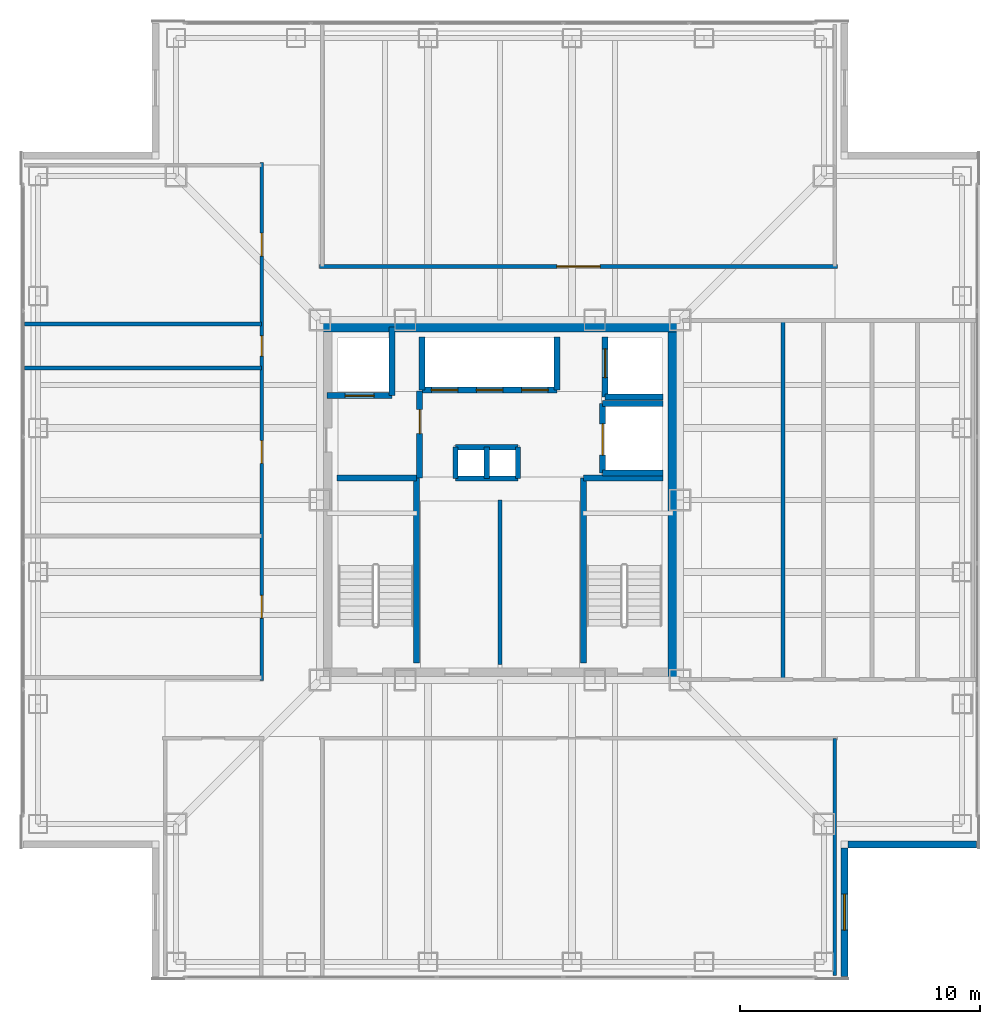
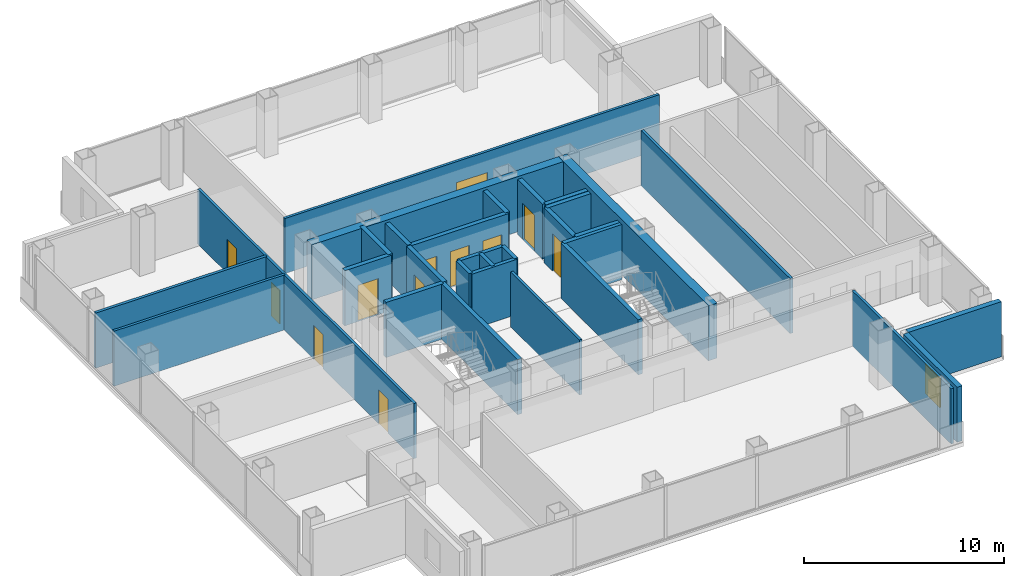
# One storey, part 10 of 17: 31 walls, 12 doors, 1 window, 13 openings.
"""IFC4 building model written with IfcOpenShell, lengths in metres."""

from ifc_helpers import new_model, si_unit, direction, frame, frame_2d, origin, place, context, subcontext, project, spatial, rectangle, extrude, material, layer, layer_set, type_object, element, fill, save


model = new_model("IFC4")

# Units and contexts
model_context = context("Model", 3, precision=1e-05, world=origin(), true_north=direction((0.0, 1.0)))
body_context = subcontext(model_context, "Body", "Model", "MODEL_VIEW")
ifc_project = project(units=[si_unit("LENGTHUNIT", "METRE"), si_unit("AREAUNIT", "SQUARE_METRE"), si_unit("VOLUMEUNIT", "CUBIC_METRE"), si_unit("PLANEANGLEUNIT", "RADIAN"), si_unit("MASSUNIT", "GRAM", prefix="KILO")], contexts=[model_context])

# Site, building, storey
site_placement = place(None, origin())
site = spatial("IfcSite", under=ifc_project, at=site_placement, CompositionType="ELEMENT")
building_placement = place(site_placement, origin())
building = spatial("IfcBuilding", under=site, at=building_placement, Name="Trevonay Congress Spire", CompositionType="ELEMENT")
storey_placement = place(building_placement, frame((0.0, 0.0, 209.39990234375)))
storey = spatial("IfcBuildingStorey", under=building, at=storey_placement, Name="L54", CompositionType="ELEMENT", Elevation=209.39990234375)

# Walls
ifc_material_1 = material(Name="Concrete C50/60", Category="concrete")
ifc_layer_1 = layer(ifc_material_1, 0.5, Name="Concrete C50/60")
ifc_layer_set_1 = layer_set([ifc_layer_1], Name="Concrete C50/60")
wall_type_1 = type_object("IfcWallType", Name="WAL-CORE-500", PredefinedType="SHEAR", material=ifc_layer_set_1)
for number, where, z_axis, x_axis, name in (
    (1, (-7.5, 7.25, 0.0), (0.0, 0.0, 1.0), (1.0, 0.0, 0.0), "L54 North structural core shear wall"),
    (2, (7.25, -7.5, 0.0), (0.0, 0.0, 1.0), (0.0, 1.0, 0.0), "L54 East structural core shear wall"),
):
    element("IfcWall", number, at=place(storey_placement, frame(where, z_axis=z_axis, x_axis=x_axis)), inside=storey, type_object=wall_type_1, Name=name, PredefinedType="SHEAR", context=body_context, shape_type="SweptSolid", body=[
        extrude(rectangle(XDim=15.0, YDim=0.5, at=frame_2d((7.5, 0.0))), origin(), (0.0, 0.0, 1.0), 3.360107421875),
    ])

# Wall, openings, doors
ifc_material_2 = material(Name="Concrete C40/50", Category="concrete")
ifc_layer_2 = layer(ifc_material_2, 0.14990234375, Name="Concrete C40/50")
ifc_layer_set_2 = layer_set([ifc_layer_2], Name="Concrete C40/50")
wall_type_2 = type_object("IfcWallType", Name="WAL-CORR-150", PredefinedType="PARTITIONING", material=ifc_layer_set_2)
wall_1_placement = place(storey_placement, frame((-9.929931640625, -7.52001953125, 0.0), z_axis=(0.0, 0.0, 1.0), x_axis=(0.0, 1.0, 0.0)))
wall_1 = element("IfcWall", 3, at=wall_1_placement, inside=storey, type_object=wall_type_2, Name="L54 interior wall WP-L54NW-COR", PredefinedType="PARTITIONING", context=body_context, shape_type="SweptSolid", body=[
    extrude(rectangle(XDim=21.590087890625, YDim=0.14990234375, at=frame_2d((10.794921875, 0.0))), origin(), (0.0, 0.0, 1.0), 3.360107421875),
])
opening_1_placement = place(wall_1_placement, frame((2.594970703125, 0.0, 0.0)))
opening_1 = element("IfcOpeningElement", 4, at=opening_1_placement, cuts=wall_1, Name="Opening D07", PredefinedType="OPENING", context=body_context, shape_type="SweptSolid", body=[
    extrude(rectangle(XDim=0.949951171875, YDim=2.06005859375, at=frame_2d((0.47509765625, 1.030029296875))), frame((0.0, 0.0849609375, 0.0), z_axis=(0.0, -1.0, 0.0), x_axis=(1.0, 0.0, 0.0)), (0.0, 0.0, 1.0), 0.169921875),
])
opening_2_placement = place(wall_1_placement, frame((9.044921875, 0.0, 0.0)))
opening_2 = element("IfcOpeningElement", 5, at=opening_2_placement, cuts=wall_1, Name="Opening D07", PredefinedType="OPENING", context=body_context, shape_type="SweptSolid", body=[
    extrude(rectangle(XDim=0.949951171875, YDim=2.06005859375, at=frame_2d((0.47509765625, 1.030029296875))), frame((0.0, 0.0849609375, 0.0), z_axis=(0.0, -1.0, 0.0), x_axis=(1.0, 0.0, 0.0)), (0.0, 0.0, 1.0), 0.169921875),
])
opening_3_placement = place(wall_1_placement, frame((13.510009765625, 0.0, 0.0)))
opening_3 = element("IfcOpeningElement", 6, at=opening_3_placement, cuts=wall_1, Name="Opening D10", PredefinedType="OPENING", context=body_context, shape_type="SweptSolid", body=[
    extrude(rectangle(XDim=0.85009765625, YDim=2.050048828125, at=frame_2d((0.425048828125, 1.02490234375))), frame((0.0, 0.0849609375, 0.0), z_axis=(0.0, -1.0, 0.0), x_axis=(1.0, 0.0, 0.0)), (0.0, 0.0, 1.0), 0.169921875),
])
opening_4_placement = place(wall_1_placement, frame((17.68505859375, 0.0, 0.0)))
opening_4 = element("IfcOpeningElement", 7, at=opening_4_placement, cuts=wall_1, Name="Opening D07", PredefinedType="OPENING", context=body_context, shape_type="SweptSolid", body=[
    extrude(rectangle(XDim=0.949951171875, YDim=2.06005859375, at=frame_2d((0.47509765625, 1.030029296875))), frame((0.0, 0.0849609375, 0.0), z_axis=(0.0, -1.0, 0.0), x_axis=(1.0, 0.0, 0.0)), (0.0, 0.0, 1.0), 0.169921875),
])
ifc_material_3 = material(Name="Pale Anodised Aluminium EN AW-6063-T6", Category="aluminium")
door_type_1 = type_object("IfcDoorType", Name="DOR-OFFICE-95", OperationType="NOTDEFINED", PredefinedType="DOOR", material=ifc_material_3)
door_1_placement = place(opening_1_placement, origin())
door_1 = element("IfcDoor", 8, at=door_1_placement, inside=storey, type_object=door_type_1, Name="L54 Hydrotherapy Lounge Door", OperationType="SINGLE_SWING_LEFT", OverallHeight=2.06005859375, OverallWidth=0.949951171875, PredefinedType="DOOR", context=body_context, shape_type="SweptSolid", body=[
    extrude(rectangle(XDim=0.949951171875, YDim=2.06005859375, at=frame_2d((0.47509765625, 1.030029296875))), frame((0.0, 0.02490234375, 0.0), z_axis=(0.0, -1.0, 0.0), x_axis=(1.0, 0.0, 0.0)), (0.0, 0.0, 1.0), 0.050048828125),
])
fill(opening_1, door_1)
door_2_placement = place(opening_2_placement, origin())
door_2 = element("IfcDoor", 9, at=door_2_placement, inside=storey, type_object=door_type_1, Name="L54 Spa Treatment Lounge Door", OperationType="SINGLE_SWING_RIGHT", OverallHeight=2.06005859375, OverallWidth=0.949951171875, PredefinedType="DOOR", context=body_context, shape_type="SweptSolid", body=[
    extrude(rectangle(XDim=0.949951171875, YDim=2.06005859375, at=frame_2d((0.47509765625, 1.030029296875))), frame((0.0, 0.02490234375, 0.0), z_axis=(0.0, -1.0, 0.0), x_axis=(1.0, 0.0, 0.0)), (0.0, 0.0, 1.0), 0.050048828125),
])
fill(opening_2, door_2)
door_3_placement = place(opening_4_placement, origin())
door_3 = element("IfcDoor", 10, at=door_3_placement, inside=storey, type_object=door_type_1, Name="L54 Floor Supplies and Copy Room Door", OperationType="SINGLE_SWING_RIGHT", OverallHeight=2.06005859375, OverallWidth=0.949951171875, PredefinedType="DOOR", context=body_context, shape_type="SweptSolid", body=[
    extrude(rectangle(XDim=0.949951171875, YDim=2.06005859375, at=frame_2d((0.47509765625, 1.030029296875))), frame((0.0, 0.02490234375, 0.0), z_axis=(0.0, -1.0, 0.0), x_axis=(1.0, 0.0, 0.0)), (0.0, 0.0, 1.0), 0.050048828125),
])
fill(opening_4, door_3)
door_type_2 = type_object("IfcDoorType", Name="DOR-WC-85", OperationType="NOTDEFINED", PredefinedType="DOOR", material=ifc_material_3)
door_4_placement = place(opening_3_placement, origin())
door_4 = element("IfcDoor", 11, at=door_4_placement, inside=storey, type_object=door_type_2, Name="L54 Accessible WC Door", OperationType="SINGLE_SWING_LEFT", OverallHeight=2.050048828125, OverallWidth=0.85009765625, PredefinedType="DOOR", context=body_context, shape_type="SweptSolid", body=[
    extrude(rectangle(XDim=0.85009765625, YDim=2.050048828125, at=frame_2d((0.425048828125, 1.02490234375))), frame((0.0, 0.02490234375, 0.0), z_axis=(0.0, -1.0, 0.0), x_axis=(1.0, 0.0, 0.0)), (0.0, 0.0, 1.0), 0.050048828125),
])
fill(opening_3, door_4)

# Wall, opening, door
wall_2_placement = place(storey_placement, frame((-7.52001953125, 9.72998046875, 0.0), z_axis=(0.0, 0.0, 1.0), x_axis=(1.0, 0.0, 0.0)))
wall_2 = element("IfcWall", 12, at=wall_2_placement, inside=storey, type_object=wall_type_2, Name="L54 interior wall WP-L54N-COR", PredefinedType="PARTITIONING", context=body_context, shape_type="SweptSolid", body=[
    extrude(rectangle(XDim=21.590087890625, YDim=0.14990234375, at=frame_2d((10.794921875, 0.0))), origin(), (0.0, 0.0, 1.0), 3.360107421875),
])
opening_5_placement = place(wall_2_placement, frame((9.89501953125, 0.0, 0.0)))
opening_5 = element("IfcOpeningElement", 13, at=opening_5_placement, cuts=wall_2, Name="Opening D09", PredefinedType="OPENING", context=body_context, shape_type="SweptSolid", body=[
    extrude(rectangle(XDim=1.800048828125, YDim=2.080078125, at=frame_2d((0.89990234375, 1.0400390625))), frame((0.0, 0.0849609375, 0.0), z_axis=(0.0, -1.0, 0.0), x_axis=(1.0, 0.0, 0.0)), (0.0, 0.0, 1.0), 0.169921875),
])
door_type_3 = type_object("IfcDoorType", Name="DOR-CONF-DBL", OperationType="DOUBLE_DOOR_SINGLE_SWING", PredefinedType="DOOR", material=ifc_material_3)
door_5_placement = place(opening_5_placement, origin())
door_5 = element("IfcDoor", 14, at=door_5_placement, inside=storey, type_object=door_type_3, Name="L54 Sky Pilates and Fitness Studio Lounge Door", OperationType="DOUBLE_DOOR_SINGLE_SWING", OverallHeight=2.080078125, OverallWidth=1.800048828125, PredefinedType="DOOR", context=body_context, shape_type="SweptSolid", body=[
    extrude(rectangle(XDim=1.800048828125, YDim=2.080078125, at=frame_2d((0.89990234375, 1.0400390625))), frame((0.0, 0.02490234375, 0.0), z_axis=(0.0, -1.0, 0.0), x_axis=(1.0, 0.0, 0.0)), (0.0, 0.0, 1.0), 0.050048828125),
])
fill(opening_5, door_5)

# Wall, opening, window
ifc_material_4 = material(Name="Precast concrete C40/50", Category="concrete")
ifc_layer_3 = layer(ifc_material_4, 0.300048828125, Name="Precast concrete C40/50")
ifc_layer_set_3 = layer_set([ifc_layer_3], Name="Precast concrete C40/50")
wall_type_3 = type_object("IfcWallType", Name="WAL-EXT-PRECAST-300", PredefinedType="SOLIDWALL", material=ifc_layer_set_3)
wall_3_placement = place(storey_placement, frame((14.35009765625, -19.85009765625, 0.0), z_axis=(0.0, 0.0, 1.0), x_axis=(0.0, 1.0, 0.0)))
wall_3 = element("IfcWall", 15, at=wall_3_placement, inside=storey, type_object=wall_type_3, Name="L54 SE re-entrant notch exterior wall 1", PredefinedType="SOLIDWALL", context=body_context, shape_type="SweptSolid", body=[
    extrude(rectangle(XDim=5.35009765625, YDim=0.300048828125, at=frame_2d((2.675048828125, 0.0))), origin(), (0.0, 0.0, 1.0), 3.360107421875),
])
opening_6_placement = place(wall_3_placement, frame((1.925048828125, 0.0, 0.89990234375)))
opening_6 = element("IfcOpeningElement", 16, at=opening_6_placement, cuts=wall_3, Name="Opening WN03", PredefinedType="OPENING", context=body_context, shape_type="SweptSolid", body=[
    extrude(rectangle(XDim=1.5, YDim=1.800048828125, at=frame_2d((0.75, 0.89990234375))), frame((0.0, 0.16015625, 0.0), z_axis=(0.0, -1.0, 0.0), x_axis=(1.0, 0.0, 0.0)), (0.0, 0.0, 1.0), 0.320068359375),
])
ifc_material_5 = material(Name="Insulated Low-E Vision Glass IGU", Category="glass")
window_type = type_object("IfcWindowType", Name="WIN-NOTCH-150X180", PartitioningType="SINGLE_PANEL", PredefinedType="WINDOW", material=ifc_material_5)
window_placement = place(opening_6_placement, origin())
window = element("IfcWindow", 17, at=window_placement, inside=storey, type_object=window_type, Name="L54 SE corner notch window", OverallHeight=1.800048828125, OverallWidth=1.5, PartitioningType="SINGLE_PANEL", PredefinedType="WINDOW", context=body_context, shape_type="SweptSolid", body=[
    extrude(rectangle(XDim=1.5, YDim=1.800048828125, at=frame_2d((0.75, 0.89990234375))), frame((0.0, 0.030029296875, 0.0), z_axis=(0.0, -1.0, 0.0), x_axis=(1.0, 0.0, 0.0)), (0.0, 0.0, 1.0), 0.06005859375),
])
fill(opening_6, window)

# Walls
wall_4_placement = place(storey_placement, frame((19.85009765625, -14.35009765625, 0.0), z_axis=(0.0, 0.0, 1.0), x_axis=(-1.0, 0.0, 0.0)))
element("IfcWall", 18, at=wall_4_placement, inside=storey, type_object=wall_type_3, Name="L54 SE re-entrant notch exterior wall 2", PredefinedType="SOLIDWALL", context=body_context, shape_type="SweptSolid", body=[
    extrude(rectangle(XDim=5.35009765625, YDim=0.300048828125, at=frame_2d((2.675048828125, 0.0))), origin(), (0.0, 0.0, 1.0), 3.360107421875),
])
ifc_layer_4 = layer(ifc_material_2, 0.14990234375, Name="Concrete C40/50")
ifc_layer_set_4 = layer_set([ifc_layer_4], Name="Concrete C40/50")
wall_type_4 = type_object("IfcWallType", Name="WAL-PART-150", PredefinedType="PARTITIONING", material=ifc_layer_set_4)
wall_5_placement = place(storey_placement, frame((0.0, -6.85009765625, 0.0), z_axis=(0.0, 0.0, 1.0), x_axis=(0.0, 1.0, 0.0)))
element("IfcWall", 19, at=wall_5_placement, inside=storey, type_object=wall_type_4, Name="L54 interior wall CW-F0-L54", PredefinedType="PARTITIONING", context=body_context, shape_type="SweptSolid", body=[
    extrude(rectangle(XDim=6.85009765625, YDim=0.14990234375, at=frame_2d((3.425048828125, 0.0))), origin(), (0.0, 0.0, 1.0), 3.360107421875),
])
for number, where, z_axis, x_axis, name in (
    (20, (13.949951171875, -19.820068359375, 0.0), (0.0, 0.0, 1.0), (0.0, 1.0, 0.0), "L54 interior wall WP-L54SE-DIV2"),
    (21, (-19.820068359375, 5.5, 0.0), (0.0, 0.0, 1.0), (1.0, 0.0, 0.0), "L54 interior wall WP-L54NW-DIV3"),
):
    element("IfcWall", number, at=place(storey_placement, frame(where, z_axis=z_axis, x_axis=x_axis)), inside=storey, type_object=wall_type_4, Name=name, PredefinedType="PARTITIONING", context=body_context, shape_type="SweptSolid", body=[
        extrude(rectangle(XDim=9.89013671875, YDim=0.14990234375, at=frame_2d((4.945068359375, 0.0))), origin(), (0.0, 0.0, 1.0), 3.360107421875),
    ])
ifc_layer_5 = layer(ifc_material_2, 0.219970703125, Name="Concrete C40/50")
ifc_layer_set_5 = layer_set([ifc_layer_5], Name="Concrete C40/50")
wall_type_5 = type_object("IfcWallType", Name="WAL-SHAFT-220", PredefinedType="PARTITIONING", material=ifc_layer_set_5)
for number, where, z_axis, x_axis, name in (
    (22, (-1.85009765625, 2.199951171875, 0.0), (0.0, 0.0, 1.0), (1.0, 0.0, 0.0), "L54 interior shaft wall WSH-L54-RSR-N"),
    (23, (-1.85009765625, 0.89990234375, 0.0), (0.0, 0.0, 1.0), (1.0, 0.0, 0.0), "L54 interior shaft wall WSH-L54-RSR-S"),
):
    element("IfcWall", number, at=place(storey_placement, frame(where, z_axis=z_axis, x_axis=x_axis)), inside=storey, type_object=wall_type_5, Name=name, PredefinedType="PARTITIONING", context=body_context, shape_type="SweptSolid", body=[
        extrude(rectangle(XDim=2.60009765625, YDim=0.219970703125, at=frame_2d((1.300048828125, 0.0))), origin(), (0.0, 0.0, 1.0), 3.360107421875),
    ])
for number, where, z_axis, x_axis, name in (
    (24, (-0.550048828125, 0.89990234375, 0.0), (0.0, 0.0, 1.0), (0.0, 1.0, 0.0), "L54 interior shaft wall WSH-L54-RSR-M"),
    (25, (0.75, 0.89990234375, 0.0), (0.0, 0.0, 1.0), (0.0, 1.0, 0.0), "L54 interior shaft wall WSH-L54-RSR-E"),
    (26, (-1.85009765625, 0.89990234375, 0.0), (0.0, 0.0, 1.0), (0.0, 1.0, 0.0), "L54 interior shaft wall WSH-L54-RSR-W"),
):
    element("IfcWall", number, at=place(storey_placement, frame(where, z_axis=z_axis, x_axis=x_axis)), inside=storey, type_object=wall_type_5, Name=name, PredefinedType="PARTITIONING", context=body_context, shape_type="SweptSolid", body=[
        extrude(rectangle(XDim=1.300048828125, YDim=0.219970703125, at=frame_2d((0.64990234375, 0.0))), origin(), (0.0, 0.0, 1.0), 3.360107421875),
    ])

# Wall, openings, doors
ifc_layer_6 = layer(ifc_material_2, 0.25, Name="Concrete C40/50")
ifc_layer_set_6 = layer_set([ifc_layer_6], Name="Concrete C40/50")
wall_type_6 = type_object("IfcWallType", Name="WAL-SHAFT-250", PredefinedType="SHEAR", material=ifc_layer_set_6)
wall_6_placement = place(storey_placement, frame((-3.260009765625, 4.580078125, 0.0), z_axis=(0.0, 0.0, 1.0), x_axis=(1.0, 0.0, 0.0)))
wall_6 = element("IfcWall", 27, at=wall_6_placement, inside=storey, type_object=wall_type_6, Name="L54 interior shaft wall WSH-L54-B3-S", PredefinedType="SHEAR", context=body_context, shape_type="SweptSolid", body=[
    extrude(rectangle(XDim=5.639892578125, YDim=0.25, at=frame_2d((2.81982421875, 0.0))), origin(), (0.0, 0.0, 1.0), 3.360107421875),
])
opening_7_placement = place(wall_6_placement, frame((0.39990234375, 0.0, 0.0)))
opening_7 = element("IfcOpeningElement", 28, at=opening_7_placement, cuts=wall_6, Name="Opening LD03", PredefinedType="OPENING", context=body_context, shape_type="SweptSolid", body=[
    extrude(rectangle(XDim=1.10009765625, YDim=2.199951171875, at=frame_2d((0.550048828125, 1.10009765625))), frame((0.0, 0.135009765625, 0.0), z_axis=(0.0, -1.0, 0.0), x_axis=(1.0, 0.0, 0.0)), (0.0, 0.0, 1.0), 0.27001953125),
])
opening_8_placement = place(wall_6_placement, frame((2.280029296875, 0.0, 0.0)))
opening_8 = element("IfcOpeningElement", 29, at=opening_8_placement, cuts=wall_6, Name="Opening LD03", PredefinedType="OPENING", context=body_context, shape_type="SweptSolid", body=[
    extrude(rectangle(XDim=1.10009765625, YDim=2.199951171875, at=frame_2d((0.550048828125, 1.10009765625))), frame((0.0, 0.135009765625, 0.0), z_axis=(0.0, -1.0, 0.0), x_axis=(1.0, 0.0, 0.0)), (0.0, 0.0, 1.0), 0.27001953125),
])
opening_9_placement = place(wall_6_placement, frame((4.159912109375, 0.0, 0.0)))
opening_9 = element("IfcOpeningElement", 30, at=opening_9_placement, cuts=wall_6, Name="Opening LD03", PredefinedType="OPENING", context=body_context, shape_type="SweptSolid", body=[
    extrude(rectangle(XDim=1.10009765625, YDim=2.199951171875, at=frame_2d((0.550048828125, 1.10009765625))), frame((0.0, 0.135009765625, 0.0), z_axis=(0.0, -1.0, 0.0), x_axis=(1.0, 0.0, 0.0)), (0.0, 0.0, 1.0), 0.27001953125),
])
door_type_4 = type_object("IfcDoorType", Name="DOR-LIFT-LD03", OperationType="DOUBLE_DOOR_SLIDING", PredefinedType="DOOR", material=ifc_material_3)
door_6_placement = place(opening_7_placement, origin())
door_6 = element("IfcDoor", 31, at=door_6_placement, inside=storey, type_object=door_type_4, Name="L54 Passenger lift PL-07 landing door", OperationType="DOUBLE_DOOR_SLIDING", OverallHeight=2.199951171875, OverallWidth=1.10009765625, PredefinedType="DOOR", context=body_context, shape_type="SweptSolid", body=[
    extrude(rectangle(XDim=1.10009765625, YDim=2.199951171875, at=frame_2d((0.550048828125, 1.10009765625))), frame((0.0, 0.02490234375, 0.0), z_axis=(0.0, -1.0, 0.0), x_axis=(1.0, 0.0, 0.0)), (0.0, 0.0, 1.0), 0.050048828125),
])
fill(opening_7, door_6)
door_7_placement = place(opening_8_placement, origin())
door_7 = element("IfcDoor", 32, at=door_7_placement, inside=storey, type_object=door_type_4, Name="L54 Passenger lift PL-08 landing door", OperationType="DOUBLE_DOOR_SLIDING", OverallHeight=2.199951171875, OverallWidth=1.10009765625, PredefinedType="DOOR", context=body_context, shape_type="SweptSolid", body=[
    extrude(rectangle(XDim=1.10009765625, YDim=2.199951171875, at=frame_2d((0.550048828125, 1.10009765625))), frame((0.0, 0.02490234375, 0.0), z_axis=(0.0, -1.0, 0.0), x_axis=(1.0, 0.0, 0.0)), (0.0, 0.0, 1.0), 0.050048828125),
])
fill(opening_8, door_7)
door_8_placement = place(opening_9_placement, origin())
door_8 = element("IfcDoor", 33, at=door_8_placement, inside=storey, type_object=door_type_4, Name="L54 Passenger lift PL-09 landing door", OperationType="DOUBLE_DOOR_SLIDING", OverallHeight=2.199951171875, OverallWidth=1.10009765625, PredefinedType="DOOR", context=body_context, shape_type="SweptSolid", body=[
    extrude(rectangle(XDim=1.10009765625, YDim=2.199951171875, at=frame_2d((0.550048828125, 1.10009765625))), frame((0.0, 0.02490234375, 0.0), z_axis=(0.0, -1.0, 0.0), x_axis=(1.0, 0.0, 0.0)), (0.0, 0.0, 1.0), 0.050048828125),
])
fill(opening_9, door_8)

# Walls
for number, where, z_axis, x_axis, name in (
    (34, (-3.260009765625, 4.580078125, 0.0), (0.0, 0.0, 1.0), (0.0, 1.0, 0.0), "L54 interior shaft wall WSH-L54-B3-W"),
    (35, (2.3798828125, 4.580078125, 0.0), (0.0, 0.0, 1.0), (0.0, 1.0, 0.0), "L54 interior shaft wall WSH-L54-B3-E"),
):
    element("IfcWall", number, at=place(storey_placement, frame(where, z_axis=z_axis, x_axis=x_axis)), inside=storey, type_object=wall_type_6, Name=name, PredefinedType="SHEAR", context=body_context, shape_type="SweptSolid", body=[
        extrude(rectangle(XDim=2.219970703125, YDim=0.25, at=frame_2d((1.10986328125, 0.0))), origin(), (0.0, 0.0, 1.0), 3.360107421875),
    ])

# Wall, opening, door
wall_7_placement = place(storey_placement, frame((-7.199951171875, 4.35009765625, 0.0), z_axis=(0.0, 0.0, 1.0), x_axis=(1.0, 0.0, 0.0)))
wall_7 = element("IfcWall", 36, at=wall_7_placement, inside=storey, type_object=wall_type_6, Name="L54 interior shaft wall WSH-L54-FF1-S", PredefinedType="SHEAR", context=body_context, shape_type="SweptSolid", body=[
    extrude(rectangle(XDim=2.699951171875, YDim=0.25, at=frame_2d((1.35009765625, 0.0))), origin(), (0.0, 0.0, 1.0), 3.360107421875),
])
opening_10_placement = place(wall_7_placement, frame((0.75, 0.0, 0.0)))
opening_10 = element("IfcOpeningElement", 37, at=opening_10_placement, cuts=wall_7, Name="Opening LD04", PredefinedType="OPENING", context=body_context, shape_type="SweptSolid", body=[
    extrude(rectangle(XDim=1.199951171875, YDim=2.199951171875, at=frame_2d((0.60009765625, 1.10009765625))), frame((0.0, 0.135009765625, 0.0), z_axis=(0.0, -1.0, 0.0), x_axis=(1.0, 0.0, 0.0)), (0.0, 0.0, 1.0), 0.27001953125),
])
ifc_material_6 = material(Name="Steel ASTM A572 Grade 50", Category="steel")
door_type_5 = type_object("IfcDoorType", Name="DOR-LIFT-LD04", OperationType="DOUBLE_DOOR_SLIDING", PredefinedType="DOOR", material=ifc_material_6)
door_9_placement = place(opening_10_placement, origin())
door_9 = element("IfcDoor", 38, at=door_9_placement, inside=storey, type_object=door_type_5, Name="L54 Firefighting lift FFL-01 landing door", OperationType="DOUBLE_DOOR_SLIDING", OverallHeight=2.199951171875, OverallWidth=1.199951171875, PredefinedType="DOOR", context=body_context, shape_type="SweptSolid", body=[
    extrude(rectangle(XDim=1.199951171875, YDim=2.199951171875, at=frame_2d((0.60009765625, 1.10009765625))), frame((0.0, 0.02490234375, 0.0), z_axis=(0.0, -1.0, 0.0), x_axis=(1.0, 0.0, 0.0)), (0.0, 0.0, 1.0), 0.050048828125),
])
fill(opening_10, door_9)

# Walls
wall_8_placement = place(storey_placement, frame((-4.5, 4.35009765625, 0.0), z_axis=(0.0, 0.0, 1.0), x_axis=(0.0, 1.0, 0.0)))
element("IfcWall", 39, at=wall_8_placement, inside=storey, type_object=wall_type_6, Name="L54 interior shaft wall WSH-L54-FF1-E", PredefinedType="SHEAR", context=body_context, shape_type="SweptSolid", body=[
    extrude(rectangle(XDim=2.849853515625, YDim=0.25, at=frame_2d((1.4248046875, 0.0))), origin(), (0.0, 0.0, 1.0), 3.360107421875),
])
wall_9_placement = place(storey_placement, frame((4.3798828125, 4.300048828125, 0.0), z_axis=(0.0, 0.0, 1.0), x_axis=(1.0, 0.0, 0.0)))
element("IfcWall", 40, at=wall_9_placement, inside=storey, type_object=wall_type_6, Name="L54 interior shaft wall WSH-L54-FF2-S", PredefinedType="SHEAR", context=body_context, shape_type="SweptSolid", body=[
    extrude(rectangle(XDim=2.420166015625, YDim=0.25, at=frame_2d((1.2099609375, 0.0))), origin(), (0.0, 0.0, 1.0), 3.360107421875),
])

# Wall, opening, door
wall_10_placement = place(storey_placement, frame((4.3798828125, 4.300048828125, 0.0), z_axis=(0.0, 0.0, 1.0), x_axis=(0.0, 1.0, 0.0)))
wall_10 = element("IfcWall", 41, at=wall_10_placement, inside=storey, type_object=wall_type_6, Name="L54 interior shaft wall WSH-L54-FF2-W", PredefinedType="SHEAR", context=body_context, shape_type="SweptSolid", body=[
    extrude(rectangle(XDim=2.5, YDim=0.25, at=frame_2d((1.25, 0.0))), origin(), (0.0, 0.0, 1.0), 3.360107421875),
])
opening_11_placement = place(wall_10_placement, frame((0.800048828125, 0.0, 0.0)))
opening_11 = element("IfcOpeningElement", 42, at=opening_11_placement, cuts=wall_10, Name="Opening LD04", PredefinedType="OPENING", context=body_context, shape_type="SweptSolid", body=[
    extrude(rectangle(XDim=1.199951171875, YDim=2.199951171875, at=frame_2d((0.60009765625, 1.10009765625))), frame((0.0, 0.135009765625, 0.0), z_axis=(0.0, -1.0, 0.0), x_axis=(1.0, 0.0, 0.0)), (0.0, 0.0, 1.0), 0.27001953125),
])
door_10_placement = place(opening_11_placement, origin())
door_10 = element("IfcDoor", 43, at=door_10_placement, inside=storey, type_object=door_type_5, Name="L54 Firefighting lift FFL-02 landing door", OperationType="DOUBLE_DOOR_SLIDING", OverallHeight=2.199951171875, OverallWidth=1.199951171875, PredefinedType="DOOR", context=body_context, shape_type="SweptSolid", body=[
    extrude(rectangle(XDim=1.199951171875, YDim=2.199951171875, at=frame_2d((0.60009765625, 1.10009765625))), frame((0.0, 0.02490234375, 0.0), z_axis=(0.0, -1.0, 0.0), x_axis=(1.0, 0.0, 0.0)), (0.0, 0.0, 1.0), 0.050048828125),
])
fill(opening_11, door_10)

wall_11_placement = place(storey_placement, frame((4.280029296875, 1.1201171875, 0.0), z_axis=(0.0, 0.0, 1.0), x_axis=(0.0, 1.0, 0.0)))
wall_11 = element("IfcWall", 44, at=wall_11_placement, inside=storey, type_object=wall_type_6, Name="L54 interior shaft wall WSH-L54-SV-W", PredefinedType="SHEAR", context=body_context, shape_type="SweptSolid", body=[
    extrude(rectangle(XDim=2.89990234375, YDim=0.25, at=frame_2d((1.449951171875, 0.0))), origin(), (0.0, 0.0, 1.0), 3.360107421875),
])
opening_12_placement = place(wall_11_placement, frame((0.75, 0.0, 0.0)))
opening_12 = element("IfcOpeningElement", 45, at=opening_12_placement, cuts=wall_11, Name="Opening LD05", PredefinedType="OPENING", context=body_context, shape_type="SweptSolid", body=[
    extrude(rectangle(XDim=1.300048828125, YDim=2.300048828125, at=frame_2d((0.64990234375, 1.14990234375))), frame((0.0, 0.135009765625, 0.0), z_axis=(0.0, -1.0, 0.0), x_axis=(1.0, 0.0, 0.0)), (0.0, 0.0, 1.0), 0.27001953125),
])
door_type_6 = type_object("IfcDoorType", Name="DOR-LIFT-LD05", OperationType="DOUBLE_DOOR_SLIDING", PredefinedType="DOOR", material=ifc_material_6)
door_11_placement = place(opening_12_placement, origin())
door_11 = element("IfcDoor", 46, at=door_11_placement, inside=storey, type_object=door_type_6, Name="L54 Goods lift SVL-01 landing door", OperationType="DOUBLE_DOOR_SLIDING", OverallHeight=2.300048828125, OverallWidth=1.300048828125, PredefinedType="DOOR", context=body_context, shape_type="SweptSolid", body=[
    extrude(rectangle(XDim=1.300048828125, YDim=2.300048828125, at=frame_2d((0.64990234375, 1.14990234375))), frame((0.0, 0.02490234375, 0.0), z_axis=(0.0, -1.0, 0.0), x_axis=(1.0, 0.0, 0.0)), (0.0, 0.0, 1.0), 0.050048828125),
])
fill(opening_12, door_11)

# Walls
for number, where, z_axis, x_axis, name in (
    (47, (4.280029296875, 1.1201171875, 0.0), (0.0, 0.0, 1.0), (1.0, 0.0, 0.0), "L54 interior shaft wall WSH-L54-SV-S"),
    (48, (4.280029296875, 4.02001953125, 0.0), (0.0, 0.0, 1.0), (1.0, 0.0, 0.0), "L54 interior shaft wall WSH-L54-SV-N"),
):
    element("IfcWall", number, at=place(storey_placement, frame(where, z_axis=z_axis, x_axis=x_axis)), inside=storey, type_object=wall_type_6, Name=name, PredefinedType="SHEAR", context=body_context, shape_type="SweptSolid", body=[
        extrude(rectangle(XDim=2.52001953125, YDim=0.25, at=frame_2d((1.260009765625, 0.0))), origin(), (0.0, 0.0, 1.0), 3.360107421875),
    ])

# Wall, opening, door
wall_12_placement = place(storey_placement, frame((-3.35009765625, 0.919921875, 0.0), z_axis=(0.0, 0.0, 1.0), x_axis=(0.0, 1.0, 0.0)))
wall_12 = element("IfcWall", 49, at=wall_12_placement, inside=storey, type_object=wall_type_6, Name="L54 interior wall CW-FFLW-E-L54", PredefinedType="SHEAR", context=body_context, shape_type="SweptSolid", body=[
    extrude(rectangle(XDim=3.6201171875, YDim=0.25, at=frame_2d((1.81005859375, 0.0))), origin(), (0.0, 0.0, 1.0), 3.360107421875),
])
opening_13_placement = place(wall_12_placement, frame((1.85009765625, 0.0, 0.0)))
opening_13 = element("IfcOpeningElement", 50, at=opening_13_placement, cuts=wall_12, Name="Opening D06", PredefinedType="OPENING", context=body_context, shape_type="SweptSolid", body=[
    extrude(rectangle(XDim=1.0, YDim=2.080078125, at=frame_2d((0.5, 1.0400390625))), frame((0.0, 0.135009765625, 0.0), z_axis=(0.0, -1.0, 0.0), x_axis=(1.0, 0.0, 0.0)), (0.0, 0.0, 1.0), 0.27001953125),
])
door_type_7 = type_object("IfcDoorType", Name="DOR-FIRE-100", OperationType="NOTDEFINED", PredefinedType="DOOR", material=ifc_material_6)
door_12_placement = place(opening_13_placement, origin())
door_12 = element("IfcDoor", 51, at=door_12_placement, inside=storey, type_object=door_type_7, Name="L54 Firefighting Core Lobby Transfer Door", OperationType="SINGLE_SWING_LEFT", OverallHeight=2.080078125, OverallWidth=1.0, PredefinedType="DOOR", context=body_context, shape_type="SweptSolid", body=[
    extrude(rectangle(XDim=1.0, YDim=2.080078125, at=frame_2d((0.5, 1.0400390625))), frame((0.0, 0.02490234375, 0.0), z_axis=(0.0, -1.0, 0.0), x_axis=(1.0, 0.0, 0.0)), (0.0, 0.0, 1.0), 0.050048828125),
])
fill(opening_13, door_12)

# Walls
ifc_layer_7 = layer(ifc_material_2, 0.25, Name="Concrete C40/50")
ifc_layer_set_7 = layer_set([ifc_layer_7], Name="Concrete C40/50")
wall_type_7 = type_object("IfcWallType", Name="WAL-SHAFT-LB-250", PredefinedType="SHEAR", material=ifc_layer_set_7)
wall_13_placement = place(storey_placement, frame((-3.469970703125, -6.800048828125, 0.0), z_axis=(0.0, 0.0, 1.0), x_axis=(0.0, 1.0, 0.0)))
element("IfcWall", 52, at=wall_13_placement, inside=storey, type_object=wall_type_7, Name="L54 interior shaft wall WSH-L54-ST1-E", PredefinedType="SHEAR", context=body_context, shape_type="SweptSolid", body=[
    extrude(rectangle(XDim=7.719970703125, YDim=0.25, at=frame_2d((3.85986328125, 0.0))), origin(), (0.0, 0.0, 1.0), 3.360107421875),
])
wall_14_placement = place(storey_placement, frame((-6.800048828125, 0.919921875, 0.0), z_axis=(0.0, 0.0, 1.0), x_axis=(1.0, 0.0, 0.0)))
element("IfcWall", 53, at=wall_14_placement, inside=storey, type_object=wall_type_7, Name="L54 interior shaft wall WSH-L54-ST1-N", PredefinedType="SHEAR", context=body_context, shape_type="SweptSolid", body=[
    extrude(rectangle(XDim=3.330078125, YDim=0.25, at=frame_2d((1.6650390625, 0.0))), origin(), (0.0, 0.0, 1.0), 3.360107421875),
])
wall_15_placement = place(storey_placement, frame((3.469970703125, -6.800048828125, 0.0), z_axis=(0.0, 0.0, 1.0), x_axis=(0.0, 1.0, 0.0)))
element("IfcWall", 54, at=wall_15_placement, inside=storey, type_object=wall_type_7, Name="L54 interior shaft wall WSH-L54-ST2-W", PredefinedType="SHEAR", context=body_context, shape_type="SweptSolid", body=[
    extrude(rectangle(XDim=7.719970703125, YDim=0.25, at=frame_2d((3.85986328125, 0.0))), origin(), (0.0, 0.0, 1.0), 3.360107421875),
])
wall_16_placement = place(storey_placement, frame((3.469970703125, 0.919921875, 0.0), z_axis=(0.0, 0.0, 1.0), x_axis=(1.0, 0.0, 0.0)))
element("IfcWall", 55, at=wall_16_placement, inside=storey, type_object=wall_type_7, Name="L54 interior shaft wall WSH-L54-ST2-N", PredefinedType="SHEAR", context=body_context, shape_type="SweptSolid", body=[
    extrude(rectangle(XDim=3.330078125, YDim=0.25, at=frame_2d((1.6650390625, 0.0))), origin(), (0.0, 0.0, 1.0), 3.360107421875),
])
ifc_layer_8 = layer(ifc_material_2, 0.1650390625, Name="Concrete C40/50")
ifc_layer_set_8 = layer_set([ifc_layer_8], Name="Concrete C40/50")
wall_type_8 = type_object("IfcWallType", Name="WAL-WET-165", PredefinedType="PLUMBINGWALL", material=ifc_layer_set_8)
wall_17_placement = place(storey_placement, frame((-19.820068359375, 7.330078125, 0.0), z_axis=(0.0, 0.0, 1.0), x_axis=(1.0, 0.0, 0.0)))
element("IfcWall", 56, at=wall_17_placement, inside=storey, type_object=wall_type_8, Name="L54 interior wall WP-L54NW-WCS3", PredefinedType="PLUMBINGWALL", context=body_context, shape_type="SweptSolid", body=[
    extrude(rectangle(XDim=9.89013671875, YDim=0.1650390625, at=frame_2d((4.945068359375, 0.0))), origin(), (0.0, 0.0, 1.0), 3.360107421875),
])
wall_18_placement = place(storey_placement, frame((11.800048828125, -7.47998046875, 0.0), z_axis=(0.0, 0.0, 1.0), x_axis=(0.0, 1.0, 0.0)))
element("IfcWall", 57, at=wall_18_placement, inside=storey, type_object=wall_type_8, Name="L54 interior wall WP-L54E-DIV1", PredefinedType="PLUMBINGWALL", context=body_context, shape_type="SweptSolid", body=[
    extrude(rectangle(XDim=14.89990234375, YDim=0.1650390625, at=frame_2d((7.449951171875, 0.0))), origin(), (0.0, 0.0, 1.0), 3.360107421875),
])

save(model, "model.ifc")
